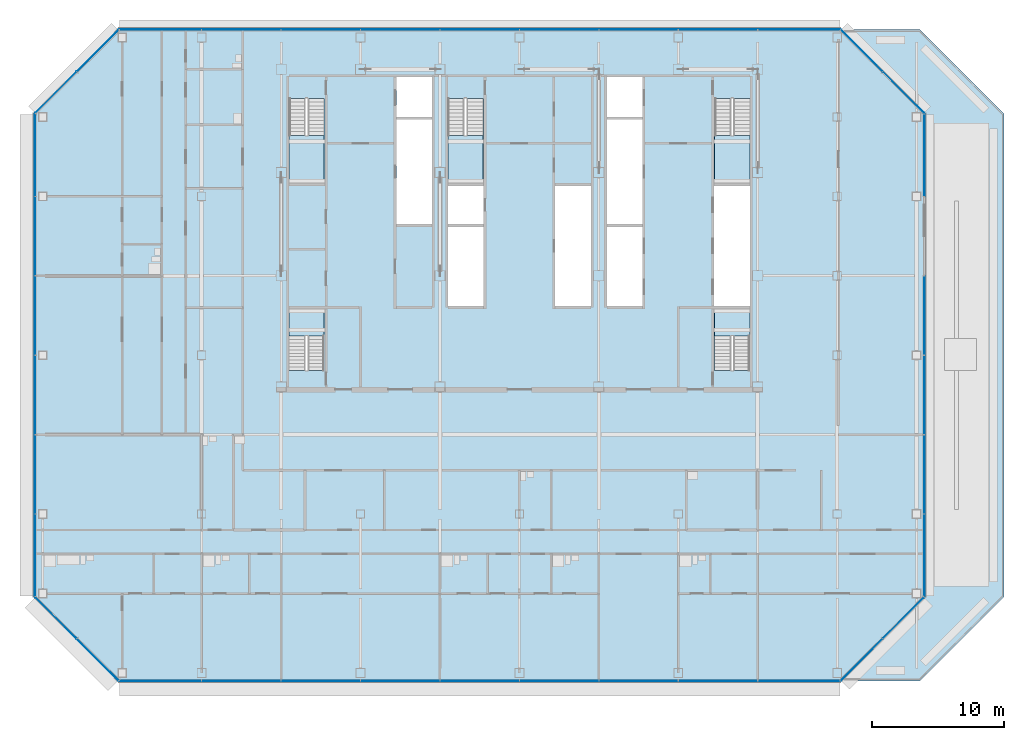
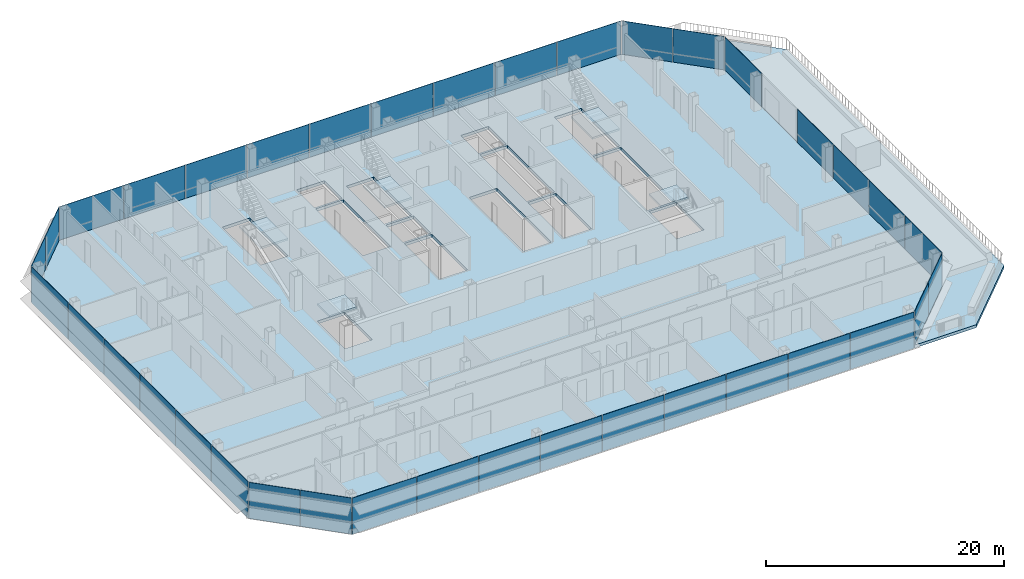
# One storey, part 16 of 27: 37 plates, 7 slabs, 13 elements without a shape of their own.
"""IFC4 building model written with IfcOpenShell, lengths in metres."""

import ifcopenshell
import ifcopenshell.guid

model = None  # the IFC model being written
_history = None  # IfcOwnerHistory: only IFC2X3 demands one
_inside = {}  # id of a spatial element -> (the spatial element, [elements in it])
_under = {}  # id of a project, library or spatial element -> (it, [spatial elements below it])
_declared = {}  # id of a project -> (the project, [libraries it declares])
_typed = {}  # id of a type object -> (the type object, [elements of that type])
_made_of = {}  # id of a material, layer set ... -> (it, [elements and type objects made of it])


def new_model(schema):
    """Start an empty IFC model of exactly this schema.

    Asked for "IFC4X3", IfcOpenShell would pick the latest addendum, in which some entities
    have other attributes; the version numbers below select the first issue.
    IFC2X3 requires an IfcOwnerHistory on every rooted entity: one is made here for all.
    """
    global model, _history
    if schema == "IFC4X3":
        model = ifcopenshell.file(schema_version=(4, 3, 0, 0))
    else:
        model = ifcopenshell.file(schema=schema)
    _inside.clear()
    _under.clear()
    _declared.clear()
    _typed.clear()
    _made_of.clear()
    _history = None
    if model.schema == "IFC2X3":
        org = make("IfcOrganization", Name="unknown")
        user = make(
            "IfcPersonAndOrganization",
            ThePerson=make("IfcPerson", FamilyName="unknown"),
            TheOrganization=org,
        )
        app = make(
            "IfcApplication",
            ApplicationDeveloper=org,
            Version="unknown",
            ApplicationFullName="unknown",
            ApplicationIdentifier="unknown",
        )
        _history = make(
            "IfcOwnerHistory",
            OwningUser=user,
            OwningApplication=app,
            ChangeAction="ADDED",
            CreationDate=0,
        )
    return model


def make(cls, **values):
    """One entity of the class cls with the attributes given. An attribute that is None is left unset."""
    return model.create_entity(
        cls, **{name: value for name, value in values.items() if value is not None}
    )


def rooted(cls, **values):
    """An entity with a GlobalId (a new one), such as an element, a storey or a relation."""
    return make(cls, GlobalId=ifcopenshell.guid.new(), OwnerHistory=_history, **values)


def si_unit(unit_type, name, prefix=None):
    """IfcSIUnit, for example si_unit("LENGTHUNIT", "METRE", prefix="MILLI")."""
    return make("IfcSIUnit", UnitType=unit_type, Prefix=prefix, Name=name)


def assignment(units):
    """IfcUnitAssignment: the units of a project."""
    return None if units is None else make("IfcUnitAssignment", Units=units)


def point(xyz):
    """IfcCartesianPoint."""
    return None if xyz is None else make("IfcCartesianPoint", Coordinates=xyz)


def direction(xyz):
    """IfcDirection."""
    return None if xyz is None else make("IfcDirection", DirectionRatios=xyz)


def frame(location, z_axis=None, x_axis=None):
    """IfcAxis2Placement3D, a coordinate frame: its origin and axes. An axis left out is left unset."""
    return make(
        "IfcAxis2Placement3D",
        Location=point(location),
        Axis=direction(z_axis),
        RefDirection=direction(x_axis),
    )


def frame_2d(location, x_axis=None):
    """IfcAxis2Placement2D, a coordinate frame in the plane: its origin and x axis."""
    return make(
        "IfcAxis2Placement2D", Location=point(location), RefDirection=direction(x_axis)
    )


def origin():
    """The frame at (0, 0, 0) with its axes left unset."""
    return frame((0.0, 0.0, 0.0))


def origin_2d():
    """The frame at (0, 0) in the plane with its x axis left unset."""
    return frame_2d((0.0, 0.0))


def place(relative_to, where):
    """IfcLocalPlacement: puts the frame where relative to a parent placement (None: the world)."""
    return make(
        "IfcLocalPlacement", PlacementRelTo=relative_to, RelativePlacement=where
    )


def context(
    kind, dimensions, precision=None, world=None, true_north=None, identifier=None
):
    """IfcGeometricRepresentationContext, for example the 3D "Model" context."""
    return make(
        "IfcGeometricRepresentationContext",
        ContextIdentifier=identifier,
        ContextType=kind,
        CoordinateSpaceDimension=dimensions,
        Precision=precision,
        WorldCoordinateSystem=world,
        TrueNorth=true_north,
    )


def subcontext(parent, identifier, kind, view, scale=None):
    """IfcGeometricRepresentationSubContext, for example "Body" below "Model"."""
    return make(
        "IfcGeometricRepresentationSubContext",
        ContextIdentifier=identifier,
        ContextType=kind,
        ParentContext=parent,
        TargetScale=scale,
        TargetView=view,
    )


def project(units=None, contexts=None):
    """IfcProject with its units and contexts."""
    return rooted(
        "IfcProject",
        Name="project",
        RepresentationContexts=contexts,
        UnitsInContext=assignment(units),
    )


def spatial(cls, under=None, at=None, **own):
    """A site, building, storey or space (cls), placed at a placement, below another one or the project."""
    s = rooted(cls, ObjectPlacement=at, **own)
    if under is not None:
        _under.setdefault(under.id(), (under, []))[1].append(s)
    return s


def polyline(points):
    """IfcPolyline through the points."""
    return make("IfcPolyline", Points=[point(p) for p in points])


def profile(cls, at=None, kind="AREA", **sizes):
    """A parametric profile (cls). Its sizes go by their IFC names, for example OverallWidth=200.0."""
    return make(cls, ProfileType=kind, Position=at, **sizes)


def rectangle(**sizes):
    """IfcRectangleProfileDef."""
    return profile("IfcRectangleProfileDef", **sizes)


def outline(outer, holes=None, kind="AREA"):
    """IfcArbitraryClosedProfileDef: a profile drawn as a closed curve; with holes, ...WithVoids."""
    if holes is None:
        return make("IfcArbitraryClosedProfileDef", ProfileType=kind, OuterCurve=outer)
    return make(
        "IfcArbitraryProfileDefWithVoids",
        ProfileType=kind,
        OuterCurve=outer,
        InnerCurves=holes,
    )


def extrude(swept, where, along, depth):
    """IfcExtrudedAreaSolid: the profile swept, set in the frame where, extruded along a direction by depth."""
    return make(
        "IfcExtrudedAreaSolid",
        SweptArea=swept,
        Position=where,
        ExtrudedDirection=direction(along),
        Depth=depth,
    )


def shape(context_of_items, identifier, shape_type, items):
    """IfcShapeRepresentation: the items that make up one representation, for example the "Body"."""
    return make(
        "IfcShapeRepresentation",
        ContextOfItems=context_of_items,
        RepresentationIdentifier=identifier,
        RepresentationType=shape_type,
        Items=items,
    )


def material(Name=None, Category=None):
    """IfcMaterial."""
    return make("IfcMaterial", Name=Name, Category=Category)


def layer(
    of_material, thickness, ventilated=None, Name=None, Category=None, Priority=None
):
    """IfcMaterialLayer: one layer of a wall or slab, of a material (None: an air gap)."""
    return make(
        "IfcMaterialLayer",
        Material=of_material,
        LayerThickness=thickness,
        IsVentilated=ventilated,
        Name=Name,
        Category=Category,
        Priority=Priority,
    )


def layer_set(layers, Name=None):
    """IfcMaterialLayerSet."""
    return make("IfcMaterialLayerSet", MaterialLayers=layers, LayerSetName=Name)


def made_of(thing, what):
    """Note that an element or type object is made of a material, layer set ...; save() writes the relation."""
    if what is not None:
        _made_of.setdefault(what.id(), (what, []))[1].append(thing)
    return thing


def type_object(cls, material=None, **own):
    """A type object (cls), such as IfcWallType, which elements share."""
    return made_of(rooted(cls, **own), material)


def element(
    cls,
    number,
    at=None,
    inside=None,
    cuts=None,
    type_object=None,
    material=None,
    context=None,
    identifier="Body",
    shape_type=None,
    held_by="IfcProductDefinitionShape",
    body=None,
    shapes=None,
    **own,
):
    """One element of the class cls, such as IfcWall. Its Tag is "e" and its number.

    at: its placement. inside: the storey or other place that contains it. cuts: it is an
    opening in that element (IfcRelVoidsElement). A single representation is given by context,
    identifier, shape_type and body (its items); several are given by shapes. held_by: the class
    of the entity that holds the representations. save() writes the other relations.
    """
    e = rooted(cls, Tag="e%d" % number, ObjectPlacement=at, **own)
    if body is not None:
        shapes = [shape(context, identifier, shape_type, body)]
    if shapes is not None:
        e.Representation = make(held_by, Representations=shapes)
    if inside is not None:
        _inside.setdefault(inside.id(), (inside, []))[1].append(e)
    if cuts is not None:
        rooted(
            "IfcRelVoidsElement", RelatingBuildingElement=cuts, RelatedOpeningElement=e
        )
    if type_object is not None:
        _typed.setdefault(type_object.id(), (type_object, []))[1].append(e)
    return made_of(e, material)


def aggregate(whole, parts):
    """IfcRelAggregates: a whole, such as a stair, and the parts it consists of."""
    return rooted("IfcRelAggregates", RelatingObject=whole, RelatedObjects=parts)


def save(model, path):
    """Write the relations noted so far, then the file.

    IfcRelAggregates (storeys below a building ...), IfcRelContainedInSpatialStructure (elements
    in a storey), IfcRelDefinesByType, IfcRelAssociatesMaterial and IfcRelDeclares: one each for
    every whole, place, type object, material and project.
    """
    for whole, parts in _under.values():
        aggregate(whole, parts)
    for where, things in _inside.values():
        rooted(
            "IfcRelContainedInSpatialStructure",
            RelatedElements=things,
            RelatingStructure=where,
        )
    for kind, things in _typed.values():
        rooted("IfcRelDefinesByType", RelatedObjects=things, RelatingType=kind)
    for what, things in _made_of.values():
        rooted("IfcRelAssociatesMaterial", RelatedObjects=things, RelatingMaterial=what)
    for by, libraries in _declared.values():
        rooted("IfcRelDeclares", RelatingContext=by, RelatedDefinitions=libraries)
    model.write(path)


model = new_model("IFC4")

# Units and contexts
model_context = context("Model", 3, precision=1e-05, world=origin(), true_north=direction((0.0, 1.0)))
body_context = subcontext(model_context, "Body", "Model", "MODEL_VIEW")
ifc_project = project(units=[si_unit("LENGTHUNIT", "METRE"), si_unit("AREAUNIT", "SQUARE_METRE"), si_unit("VOLUMEUNIT", "CUBIC_METRE"), si_unit("PLANEANGLEUNIT", "RADIAN"), si_unit("MASSUNIT", "GRAM", prefix="KILO")], contexts=[model_context])

# Site, building, storey
site_placement = place(None, origin())
site = spatial("IfcSite", under=ifc_project, at=site_placement, CompositionType="ELEMENT")
building_placement = place(site_placement, origin())
building = spatial("IfcBuilding", under=site, at=building_placement, Name="Sorahane Residences", CompositionType="ELEMENT")
storey_placement = place(building_placement, frame((0.0, 0.0, 192.0)))
storey = spatial("IfcBuildingStorey", under=building, at=storey_placement, Name="L44", CompositionType="ELEMENT", Elevation=192.0)

# Slab
ifc_material_1 = material(Name="Concrete C35", Category="concrete")
ifc_layer_1 = layer(ifc_material_1, 0.300048828125)
ifc_layer_set_1 = layer_set([ifc_layer_1], Name="Composite floor slab 300 mm Concrete C35")
slab_type_1 = type_object("IfcSlabType", Name="Composite floor slab 300 mm Concrete C35", PredefinedType="FLOOR", material=ifc_layer_set_1)
slab_1_placement = place(storey_placement, frame((0.0, 0.0, -0.300048828125)))
element("IfcSlab", 1, at=slab_1_placement, inside=storey, type_object=slab_type_1, Name="Slab L44", PredefinedType="FLOOR", context=body_context, shape_type="SweptSolid", body=[
    extrude(outline(polyline([(-6.24853515625, -0.60009765625), (-12.60009765625, 5.75146484375), (-12.60009765625, 42.24853515625), (-6.24853515625, 48.60009765625), (48.24853515625, 48.60009765625), (54.60009765625, 42.24853515625), (54.60009765625, 5.75146484375), (48.24853515625, -0.60009765625), (-6.24853515625, -0.60009765625)]), holes=[polyline([(18.60009765625, 27.699951171875), (21.300048828125, 27.699951171875), (21.300048828125, 33.699951171875), (18.60009765625, 33.699951171875), (18.60009765625, 27.699951171875)]), polyline([(38.699951171875, 27.699951171875), (41.39990234375, 27.699951171875), (41.39990234375, 36.800048828125), (38.699951171875, 36.800048828125), (38.699951171875, 27.699951171875)]), polyline([(30.60009765625, 27.699951171875), (33.300048828125, 27.699951171875), (33.300048828125, 33.699951171875), (30.60009765625, 33.699951171875), (30.60009765625, 27.699951171875)]), polyline([(30.60009765625, 42.0), (33.300048828125, 42.0), (33.300048828125, 45.0), (30.60009765625, 45.0), (30.60009765625, 42.0)]), polyline([(14.699951171875, 42.0), (17.39990234375, 42.0), (17.39990234375, 45.0), (14.699951171875, 45.0), (14.699951171875, 42.0)]), polyline([(6.60009765625, 43.39990234375), (6.60009765625, 37.0), (9.25, 37.0), (9.25, 43.39990234375), (6.60009765625, 43.39990234375)]), polyline([(38.75, 43.39990234375), (38.75, 37.0), (41.39990234375, 37.0), (41.39990234375, 43.39990234375), (38.75, 43.39990234375)]), polyline([(18.60009765625, 43.39990234375), (18.60009765625, 37.0), (21.25, 37.0), (21.25, 43.39990234375), (18.60009765625, 43.39990234375)]), polyline([(9.25, 22.85009765625), (9.25, 27.5), (6.60009765625, 27.5), (6.60009765625, 22.85009765625), (9.25, 22.85009765625)]), polyline([(41.39990234375, 22.85009765625), (41.39990234375, 27.5), (38.75, 27.5), (38.75, 22.85009765625), (41.39990234375, 22.85009765625)]), polyline([(14.699951171875, 33.89990234375), (17.39990234375, 33.89990234375), (17.39990234375, 41.800048828125), (14.699951171875, 41.800048828125), (14.699951171875, 33.89990234375)]), polyline([(30.60009765625, 33.89990234375), (33.300048828125, 33.89990234375), (33.300048828125, 41.800048828125), (30.60009765625, 41.800048828125), (30.60009765625, 33.89990234375)]), polyline([(18.60009765625, 33.89990234375), (21.300048828125, 33.89990234375), (21.300048828125, 36.800048828125), (18.60009765625, 36.800048828125), (18.60009765625, 33.89990234375)]), polyline([(26.699951171875, 27.699951171875), (29.39990234375, 27.699951171875), (29.39990234375, 36.800048828125), (26.699951171875, 36.800048828125), (26.699951171875, 27.699951171875)])]), origin(), (0.0, 0.0, 1.0), 0.300048828125),
])

# Curtain wall, plates
ifc_material_2 = material(Name="Dark low-e glass and black anodised aluminium", Category="aluminium")
curtain_wall_type_1 = type_object("IfcCurtainWallType", Name="Curtain wall CW-1 Typical unitised wall", PredefinedType="NOTDEFINED", material=ifc_material_2)
curtain_wall_1_placement = place(storey_placement, origin())
curtain_wall_1 = element("IfcCurtainWall", 2, at=curtain_wall_1_placement, inside=storey, type_object=curtain_wall_type_1, Name="CW-1 curtain wall L44 S1", PredefinedType="NOTDEFINED")
ifc_material_3 = material(Name="Dark low-e glass with black ceramic frit", Category="glass")
ifc_layer_2 = layer(ifc_material_3, 0.0400390625)
ifc_layer_set_2 = layer_set([ifc_layer_2], Name="Curtain wall glass panel dark low-e with black frit spandrel band")
plate_type = type_object("IfcPlateType", Name="Curtain wall glass panel dark low-e with black frit spandrel band", PredefinedType="CURTAIN_PANEL", material=ifc_layer_set_2)
plate_1_placement = place(storey_placement, frame((-3.11181640625, -0.60009765625, -0.2998046875), z_axis=(0.0, 0.0, 1.0), x_axis=(1.0, 0.0, 0.0)))
plate_1 = element("IfcPlate", 3, at=plate_1_placement, type_object=plate_type, Name="CW-1 glass panel L44 S1.1", PredefinedType="CURTAIN_PANEL", context=body_context, shape_type="SweptSolid", body=[
    extrude(rectangle(XDim=6.173583984375, YDim=0.0400390625, at=origin_2d()), origin(), (0.0, 0.0, 1.0), 3.719970703125),
])
plate_2_placement = place(storey_placement, frame((3.0, -0.60009765625, -0.2998046875), z_axis=(0.0, 0.0, 1.0), x_axis=(1.0, 0.0, 0.0)))
plate_2 = element("IfcPlate", 4, at=plate_2_placement, type_object=plate_type, Name="CW-1 glass panel L44 S1.2", PredefinedType="CURTAIN_PANEL", context=body_context, shape_type="SweptSolid", body=[
    extrude(rectangle(XDim=5.949951171875, YDim=0.0400390625, at=origin_2d()), origin(), (0.0, 0.0, 1.0), 3.719970703125),
])
plate_3_placement = place(storey_placement, frame((9.0, -0.60009765625, -0.2998046875), z_axis=(0.0, 0.0, 1.0), x_axis=(1.0, 0.0, 0.0)))
plate_3 = element("IfcPlate", 5, at=plate_3_placement, type_object=plate_type, Name="CW-1 glass panel L44 S1.3", PredefinedType="CURTAIN_PANEL", context=body_context, shape_type="SweptSolid", body=[
    extrude(rectangle(XDim=5.949951171875, YDim=0.0400390625, at=origin_2d()), origin(), (0.0, 0.0, 1.0), 3.719970703125),
])
plate_4_placement = place(storey_placement, frame((15.0, -0.60009765625, -0.2998046875), z_axis=(0.0, 0.0, 1.0), x_axis=(1.0, 0.0, 0.0)))
plate_4 = element("IfcPlate", 6, at=plate_4_placement, type_object=plate_type, Name="CW-1 glass panel L44 S1.4", PredefinedType="CURTAIN_PANEL", context=body_context, shape_type="SweptSolid", body=[
    extrude(rectangle(XDim=5.949951171875, YDim=0.0400390625, at=origin_2d()), origin(), (0.0, 0.0, 1.0), 3.719970703125),
])
plate_5_placement = place(storey_placement, frame((21.0, -0.60009765625, -0.2998046875), z_axis=(0.0, 0.0, 1.0), x_axis=(1.0, 0.0, 0.0)))
plate_5 = element("IfcPlate", 7, at=plate_5_placement, type_object=plate_type, Name="CW-1 glass panel L44 S1.5", PredefinedType="CURTAIN_PANEL", context=body_context, shape_type="SweptSolid", body=[
    extrude(rectangle(XDim=5.949951171875, YDim=0.0400390625, at=origin_2d()), origin(), (0.0, 0.0, 1.0), 3.719970703125),
])
plate_6_placement = place(storey_placement, frame((27.0, -0.60009765625, -0.2998046875), z_axis=(0.0, 0.0, 1.0), x_axis=(1.0, 0.0, 0.0)))
plate_6 = element("IfcPlate", 8, at=plate_6_placement, type_object=plate_type, Name="CW-1 glass panel L44 S1.6", PredefinedType="CURTAIN_PANEL", context=body_context, shape_type="SweptSolid", body=[
    extrude(rectangle(XDim=5.949951171875, YDim=0.0400390625, at=origin_2d()), origin(), (0.0, 0.0, 1.0), 3.719970703125),
])
plate_7_placement = place(storey_placement, frame((33.0, -0.60009765625, -0.2998046875), z_axis=(0.0, 0.0, 1.0), x_axis=(1.0, 0.0, 0.0)))
plate_7 = element("IfcPlate", 9, at=plate_7_placement, type_object=plate_type, Name="CW-1 glass panel L44 S1.7", PredefinedType="CURTAIN_PANEL", context=body_context, shape_type="SweptSolid", body=[
    extrude(rectangle(XDim=5.949951171875, YDim=0.0400390625, at=origin_2d()), origin(), (0.0, 0.0, 1.0), 3.719970703125),
])
plate_8_placement = place(storey_placement, frame((39.0, -0.60009765625, -0.2998046875), z_axis=(0.0, 0.0, 1.0), x_axis=(1.0, 0.0, 0.0)))
plate_8 = element("IfcPlate", 10, at=plate_8_placement, type_object=plate_type, Name="CW-1 glass panel L44 S1.8", PredefinedType="CURTAIN_PANEL", context=body_context, shape_type="SweptSolid", body=[
    extrude(rectangle(XDim=5.949951171875, YDim=0.0400390625, at=origin_2d()), origin(), (0.0, 0.0, 1.0), 3.719970703125),
])
plate_9_placement = place(storey_placement, frame((45.11181640625, -0.60009765625, -0.2998046875), z_axis=(0.0, 0.0, 1.0), x_axis=(1.0, 0.0, 0.0)))
plate_9 = element("IfcPlate", 11, at=plate_9_placement, type_object=plate_type, Name="CW-1 glass panel L44 S1.9", PredefinedType="CURTAIN_PANEL", context=body_context, shape_type="SweptSolid", body=[
    extrude(rectangle(XDim=6.173583984375, YDim=0.0400390625, at=origin_2d()), origin(), (0.0, 0.0, 1.0), 3.719970703125),
])
aggregate(curtain_wall_1, [plate_1, plate_2, plate_3, plate_4, plate_5, plate_6, plate_7, plate_8, plate_9])

ifc_material_4 = material(Name="Dark low-e glass and black anodised aluminium", Category="aluminium")
curtain_wall_type_2 = type_object("IfcCurtainWallType", Name="Curtain wall CW-2 Chamfer unitised wall", PredefinedType="NOTDEFINED", material=ifc_material_4)
curtain_wall_2_placement = place(storey_placement, origin())
curtain_wall_2 = element("IfcCurtainWall", 12, at=curtain_wall_2_placement, inside=storey, type_object=curtain_wall_type_2, Name="CW-2 curtain wall L44 SE1", PredefinedType="NOTDEFINED")
plate_10_placement = place(storey_placement, frame((49.84521484375, 0.996826171875, -0.2998046875), z_axis=(0.0, 0.0, 1.0), x_axis=(0.707106781187, 0.707106781187, 0.0)))
plate_10 = element("IfcPlate", 13, at=plate_10_placement, type_object=plate_type, Name="CW-2 glass panel L44 SE1.1", PredefinedType="CURTAIN_PANEL", context=body_context, shape_type="SweptSolid", body=[
    extrude(rectangle(XDim=4.416259765625, YDim=0.0400390625, at=origin_2d()), origin(), (0.0, 0.0, 1.0), 3.719970703125),
])
plate_11_placement = place(storey_placement, frame((53.003173828125, 4.15478515625, -0.2998046875), z_axis=(0.0, 0.0, 1.0), x_axis=(0.707106781187, 0.707106781187, 0.0)))
plate_11 = element("IfcPlate", 14, at=plate_11_placement, type_object=plate_type, Name="CW-2 glass panel L44 SE1.2", PredefinedType="CURTAIN_PANEL", context=body_context, shape_type="SweptSolid", body=[
    extrude(rectangle(XDim=4.416259765625, YDim=0.0400390625, at=origin_2d()), origin(), (0.0, 0.0, 1.0), 3.719970703125),
])
aggregate(curtain_wall_2, [plate_10, plate_11])

curtain_wall_3_placement = place(storey_placement, origin())
curtain_wall_3 = element("IfcCurtainWall", 15, at=curtain_wall_3_placement, inside=storey, type_object=curtain_wall_type_1, Name="CW-1 curtain wall L44 E1", PredefinedType="NOTDEFINED")
plate_12_placement = place(storey_placement, frame((54.60009765625, 8.88818359375, -0.2998046875), z_axis=(0.0, 0.0, 1.0), x_axis=(0.0, 1.0, 0.0)))
plate_12 = element("IfcPlate", 16, at=plate_12_placement, type_object=plate_type, Name="CW-1 glass panel L44 E1.1", PredefinedType="CURTAIN_PANEL", context=body_context, shape_type="SweptSolid", body=[
    extrude(rectangle(XDim=6.173583984375, YDim=0.0400390625, at=origin_2d()), origin(), (0.0, 0.0, 1.0), 3.719970703125),
])
plate_13_placement = place(storey_placement, frame((54.60009765625, 15.0, -0.2998046875), z_axis=(0.0, 0.0, 1.0), x_axis=(0.0, 1.0, 0.0)))
plate_13 = element("IfcPlate", 17, at=plate_13_placement, type_object=plate_type, Name="CW-1 glass panel L44 E1.2", PredefinedType="CURTAIN_PANEL", context=body_context, shape_type="SweptSolid", body=[
    extrude(rectangle(XDim=5.949951171875, YDim=0.0400390625, at=origin_2d()), origin(), (0.0, 0.0, 1.0), 3.719970703125),
])
plate_14_placement = place(storey_placement, frame((54.60009765625, 21.0, -0.2998046875), z_axis=(0.0, 0.0, 1.0), x_axis=(0.0, 1.0, 0.0)))
plate_14 = element("IfcPlate", 18, at=plate_14_placement, type_object=plate_type, Name="CW-1 glass panel L44 E1.3", PredefinedType="CURTAIN_PANEL", context=body_context, shape_type="SweptSolid", body=[
    extrude(rectangle(XDim=5.949951171875, YDim=0.0400390625, at=origin_2d()), origin(), (0.0, 0.0, 1.0), 3.719970703125),
])
plate_15_placement = place(storey_placement, frame((54.60009765625, 27.0, -0.2998046875), z_axis=(0.0, 0.0, 1.0), x_axis=(0.0, 1.0, 0.0)))
plate_15 = element("IfcPlate", 19, at=plate_15_placement, type_object=plate_type, Name="CW-1 glass panel L44 E1.4", PredefinedType="CURTAIN_PANEL", context=body_context, shape_type="SweptSolid", body=[
    extrude(rectangle(XDim=5.949951171875, YDim=0.0400390625, at=origin_2d()), origin(), (0.0, 0.0, 1.0), 3.719970703125),
])
plate_16_placement = place(storey_placement, frame((54.60009765625, 39.11181640625, -0.2998046875), z_axis=(0.0, 0.0, 1.0), x_axis=(0.0, 1.0, 0.0)))
plate_16 = element("IfcPlate", 20, at=plate_16_placement, type_object=plate_type, Name="CW-1 glass panel L44 E1.6", PredefinedType="CURTAIN_PANEL", context=body_context, shape_type="SweptSolid", body=[
    extrude(rectangle(XDim=6.173583984375, YDim=0.0400390625, at=origin_2d()), origin(), (0.0, 0.0, 1.0), 3.719970703125),
])
aggregate(curtain_wall_3, [plate_12, plate_13, plate_14, plate_15, plate_16])

curtain_wall_4_placement = place(storey_placement, origin())
curtain_wall_4 = element("IfcCurtainWall", 21, at=curtain_wall_4_placement, inside=storey, type_object=curtain_wall_type_2, Name="CW-2 curtain wall L44 NE1", PredefinedType="NOTDEFINED")
plate_17_placement = place(storey_placement, frame((53.003173828125, 43.84521484375, -0.2998046875), z_axis=(0.0, 0.0, 1.0), x_axis=(-0.707106781187, 0.707106781187, 0.0)))
plate_17 = element("IfcPlate", 22, at=plate_17_placement, type_object=plate_type, Name="CW-2 glass panel L44 NE1.1", PredefinedType="CURTAIN_PANEL", context=body_context, shape_type="SweptSolid", body=[
    extrude(rectangle(XDim=4.416259765625, YDim=0.0400390625, at=origin_2d()), origin(), (0.0, 0.0, 1.0), 3.719970703125),
])
plate_18_placement = place(storey_placement, frame((49.84521484375, 47.003173828125, -0.2998046875), z_axis=(0.0, 0.0, 1.0), x_axis=(-0.707106781187, 0.707106781187, 0.0)))
plate_18 = element("IfcPlate", 23, at=plate_18_placement, type_object=plate_type, Name="CW-2 glass panel L44 NE1.2", PredefinedType="CURTAIN_PANEL", context=body_context, shape_type="SweptSolid", body=[
    extrude(rectangle(XDim=4.416259765625, YDim=0.0400390625, at=origin_2d()), origin(), (0.0, 0.0, 1.0), 3.719970703125),
])
aggregate(curtain_wall_4, [plate_17, plate_18])

curtain_wall_5_placement = place(storey_placement, origin())
curtain_wall_5 = element("IfcCurtainWall", 24, at=curtain_wall_5_placement, inside=storey, type_object=curtain_wall_type_1, Name="CW-1 curtain wall L44 N1", PredefinedType="NOTDEFINED")
plate_19_placement = place(storey_placement, frame((45.11181640625, 48.60009765625, -0.2998046875), z_axis=(0.0, 0.0, 1.0), x_axis=(-1.0, 0.0, 0.0)))
plate_19 = element("IfcPlate", 25, at=plate_19_placement, type_object=plate_type, Name="CW-1 glass panel L44 N1.1", PredefinedType="CURTAIN_PANEL", context=body_context, shape_type="SweptSolid", body=[
    extrude(rectangle(XDim=6.173583984375, YDim=0.0400390625, at=origin_2d()), origin(), (0.0, 0.0, 1.0), 3.719970703125),
])
plate_20_placement = place(storey_placement, frame((39.0, 48.60009765625, -0.2998046875), z_axis=(0.0, 0.0, 1.0), x_axis=(-1.0, 0.0, 0.0)))
plate_20 = element("IfcPlate", 26, at=plate_20_placement, type_object=plate_type, Name="CW-1 glass panel L44 N1.2", PredefinedType="CURTAIN_PANEL", context=body_context, shape_type="SweptSolid", body=[
    extrude(rectangle(XDim=5.949951171875, YDim=0.0400390625, at=origin_2d()), origin(), (0.0, 0.0, 1.0), 3.719970703125),
])
plate_21_placement = place(storey_placement, frame((33.0, 48.60009765625, -0.2998046875), z_axis=(0.0, 0.0, 1.0), x_axis=(-1.0, 0.0, 0.0)))
plate_21 = element("IfcPlate", 27, at=plate_21_placement, type_object=plate_type, Name="CW-1 glass panel L44 N1.3", PredefinedType="CURTAIN_PANEL", context=body_context, shape_type="SweptSolid", body=[
    extrude(rectangle(XDim=5.949951171875, YDim=0.0400390625, at=origin_2d()), origin(), (0.0, 0.0, 1.0), 3.719970703125),
])
plate_22_placement = place(storey_placement, frame((27.0, 48.60009765625, -0.2998046875), z_axis=(0.0, 0.0, 1.0), x_axis=(-1.0, 0.0, 0.0)))
plate_22 = element("IfcPlate", 28, at=plate_22_placement, type_object=plate_type, Name="CW-1 glass panel L44 N1.4", PredefinedType="CURTAIN_PANEL", context=body_context, shape_type="SweptSolid", body=[
    extrude(rectangle(XDim=5.949951171875, YDim=0.0400390625, at=origin_2d()), origin(), (0.0, 0.0, 1.0), 3.719970703125),
])
plate_23_placement = place(storey_placement, frame((21.0, 48.60009765625, -0.2998046875), z_axis=(0.0, 0.0, 1.0), x_axis=(-1.0, 0.0, 0.0)))
plate_23 = element("IfcPlate", 29, at=plate_23_placement, type_object=plate_type, Name="CW-1 glass panel L44 N1.5", PredefinedType="CURTAIN_PANEL", context=body_context, shape_type="SweptSolid", body=[
    extrude(rectangle(XDim=5.949951171875, YDim=0.0400390625, at=origin_2d()), origin(), (0.0, 0.0, 1.0), 3.719970703125),
])
plate_24_placement = place(storey_placement, frame((15.0, 48.60009765625, -0.2998046875), z_axis=(0.0, 0.0, 1.0), x_axis=(-1.0, 0.0, 0.0)))
plate_24 = element("IfcPlate", 30, at=plate_24_placement, type_object=plate_type, Name="CW-1 glass panel L44 N1.6", PredefinedType="CURTAIN_PANEL", context=body_context, shape_type="SweptSolid", body=[
    extrude(rectangle(XDim=5.949951171875, YDim=0.0400390625, at=origin_2d()), origin(), (0.0, 0.0, 1.0), 3.719970703125),
])
plate_25_placement = place(storey_placement, frame((9.0, 48.60009765625, -0.2998046875), z_axis=(0.0, 0.0, 1.0), x_axis=(-1.0, 0.0, 0.0)))
plate_25 = element("IfcPlate", 31, at=plate_25_placement, type_object=plate_type, Name="CW-1 glass panel L44 N1.7", PredefinedType="CURTAIN_PANEL", context=body_context, shape_type="SweptSolid", body=[
    extrude(rectangle(XDim=5.949951171875, YDim=0.0400390625, at=origin_2d()), origin(), (0.0, 0.0, 1.0), 3.719970703125),
])
plate_26_placement = place(storey_placement, frame((3.0, 48.60009765625, -0.2998046875), z_axis=(0.0, 0.0, 1.0), x_axis=(-1.0, 0.0, 0.0)))
plate_26 = element("IfcPlate", 32, at=plate_26_placement, type_object=plate_type, Name="CW-1 glass panel L44 N1.8", PredefinedType="CURTAIN_PANEL", context=body_context, shape_type="SweptSolid", body=[
    extrude(rectangle(XDim=5.949951171875, YDim=0.0400390625, at=origin_2d()), origin(), (0.0, 0.0, 1.0), 3.719970703125),
])
plate_27_placement = place(storey_placement, frame((-3.11181640625, 48.60009765625, -0.2998046875), z_axis=(0.0, 0.0, 1.0), x_axis=(-1.0, 0.0, 0.0)))
plate_27 = element("IfcPlate", 33, at=plate_27_placement, type_object=plate_type, Name="CW-1 glass panel L44 N1.9", PredefinedType="CURTAIN_PANEL", context=body_context, shape_type="SweptSolid", body=[
    extrude(rectangle(XDim=6.173583984375, YDim=0.0400390625, at=origin_2d()), origin(), (0.0, 0.0, 1.0), 3.719970703125),
])
aggregate(curtain_wall_5, [plate_19, plate_20, plate_21, plate_22, plate_23, plate_24, plate_25, plate_26, plate_27])

curtain_wall_6_placement = place(storey_placement, origin())
curtain_wall_6 = element("IfcCurtainWall", 34, at=curtain_wall_6_placement, inside=storey, type_object=curtain_wall_type_2, Name="CW-2 curtain wall L44 NW1", PredefinedType="NOTDEFINED")
plate_28_placement = place(storey_placement, frame((-7.84521484375, 47.003173828125, -0.2998046875), z_axis=(0.0, 0.0, 1.0), x_axis=(-0.707106781187, -0.707106781187, 0.0)))
plate_28 = element("IfcPlate", 35, at=plate_28_placement, type_object=plate_type, Name="CW-2 glass panel L44 NW1.1", PredefinedType="CURTAIN_PANEL", context=body_context, shape_type="SweptSolid", body=[
    extrude(rectangle(XDim=4.416259765625, YDim=0.0400390625, at=origin_2d()), origin(), (0.0, 0.0, 1.0), 3.719970703125),
])
plate_29_placement = place(storey_placement, frame((-11.003173828125, 43.84521484375, -0.2998046875), z_axis=(0.0, 0.0, 1.0), x_axis=(-0.707106781187, -0.707106781187, 0.0)))
plate_29 = element("IfcPlate", 36, at=plate_29_placement, type_object=plate_type, Name="CW-2 glass panel L44 NW1.2", PredefinedType="CURTAIN_PANEL", context=body_context, shape_type="SweptSolid", body=[
    extrude(rectangle(XDim=4.416259765625, YDim=0.0400390625, at=origin_2d()), origin(), (0.0, 0.0, 1.0), 3.719970703125),
])
aggregate(curtain_wall_6, [plate_28, plate_29])

curtain_wall_7_placement = place(storey_placement, origin())
curtain_wall_7 = element("IfcCurtainWall", 37, at=curtain_wall_7_placement, inside=storey, type_object=curtain_wall_type_1, Name="CW-1 curtain wall L44 W1", PredefinedType="NOTDEFINED")
plate_30_placement = place(storey_placement, frame((-12.60009765625, 39.11181640625, -0.2998046875), z_axis=(0.0, 0.0, 1.0), x_axis=(0.0, -1.0, 0.0)))
plate_30 = element("IfcPlate", 38, at=plate_30_placement, type_object=plate_type, Name="CW-1 glass panel L44 W1.1", PredefinedType="CURTAIN_PANEL", context=body_context, shape_type="SweptSolid", body=[
    extrude(rectangle(XDim=6.173583984375, YDim=0.0400390625, at=origin_2d()), origin(), (0.0, 0.0, 1.0), 3.719970703125),
])
plate_31_placement = place(storey_placement, frame((-12.60009765625, 33.0, -0.2998046875), z_axis=(0.0, 0.0, 1.0), x_axis=(0.0, -1.0, 0.0)))
plate_31 = element("IfcPlate", 39, at=plate_31_placement, type_object=plate_type, Name="CW-1 glass panel L44 W1.2", PredefinedType="CURTAIN_PANEL", context=body_context, shape_type="SweptSolid", body=[
    extrude(rectangle(XDim=5.949951171875, YDim=0.0400390625, at=origin_2d()), origin(), (0.0, 0.0, 1.0), 3.719970703125),
])
plate_32_placement = place(storey_placement, frame((-12.60009765625, 27.0, -0.2998046875), z_axis=(0.0, 0.0, 1.0), x_axis=(0.0, -1.0, 0.0)))
plate_32 = element("IfcPlate", 40, at=plate_32_placement, type_object=plate_type, Name="CW-1 glass panel L44 W1.3", PredefinedType="CURTAIN_PANEL", context=body_context, shape_type="SweptSolid", body=[
    extrude(rectangle(XDim=5.949951171875, YDim=0.0400390625, at=origin_2d()), origin(), (0.0, 0.0, 1.0), 3.719970703125),
])
plate_33_placement = place(storey_placement, frame((-12.60009765625, 21.0, -0.2998046875), z_axis=(0.0, 0.0, 1.0), x_axis=(0.0, -1.0, 0.0)))
plate_33 = element("IfcPlate", 41, at=plate_33_placement, type_object=plate_type, Name="CW-1 glass panel L44 W1.4", PredefinedType="CURTAIN_PANEL", context=body_context, shape_type="SweptSolid", body=[
    extrude(rectangle(XDim=5.949951171875, YDim=0.0400390625, at=origin_2d()), origin(), (0.0, 0.0, 1.0), 3.719970703125),
])
plate_34_placement = place(storey_placement, frame((-12.60009765625, 15.0, -0.2998046875), z_axis=(0.0, 0.0, 1.0), x_axis=(0.0, -1.0, 0.0)))
plate_34 = element("IfcPlate", 42, at=plate_34_placement, type_object=plate_type, Name="CW-1 glass panel L44 W1.5", PredefinedType="CURTAIN_PANEL", context=body_context, shape_type="SweptSolid", body=[
    extrude(rectangle(XDim=5.949951171875, YDim=0.0400390625, at=origin_2d()), origin(), (0.0, 0.0, 1.0), 3.719970703125),
])
plate_35_placement = place(storey_placement, frame((-12.60009765625, 8.88818359375, -0.2998046875), z_axis=(0.0, 0.0, 1.0), x_axis=(0.0, -1.0, 0.0)))
plate_35 = element("IfcPlate", 43, at=plate_35_placement, type_object=plate_type, Name="CW-1 glass panel L44 W1.6", PredefinedType="CURTAIN_PANEL", context=body_context, shape_type="SweptSolid", body=[
    extrude(rectangle(XDim=6.173583984375, YDim=0.0400390625, at=origin_2d()), origin(), (0.0, 0.0, 1.0), 3.719970703125),
])
aggregate(curtain_wall_7, [plate_30, plate_31, plate_32, plate_33, plate_34, plate_35])

curtain_wall_8_placement = place(storey_placement, origin())
curtain_wall_8 = element("IfcCurtainWall", 44, at=curtain_wall_8_placement, inside=storey, type_object=curtain_wall_type_2, Name="CW-2 curtain wall L44 SW1", PredefinedType="NOTDEFINED")
plate_36_placement = place(storey_placement, frame((-11.003173828125, 4.15478515625, -0.2998046875), z_axis=(0.0, 0.0, 1.0), x_axis=(0.707106781187, -0.707106781187, 0.0)))
plate_36 = element("IfcPlate", 45, at=plate_36_placement, type_object=plate_type, Name="CW-2 glass panel L44 SW1.1", PredefinedType="CURTAIN_PANEL", context=body_context, shape_type="SweptSolid", body=[
    extrude(rectangle(XDim=4.416259765625, YDim=0.0400390625, at=origin_2d()), origin(), (0.0, 0.0, 1.0), 3.719970703125),
])
plate_37_placement = place(storey_placement, frame((-7.84521484375, 0.996826171875, -0.2998046875), z_axis=(0.0, 0.0, 1.0), x_axis=(0.707106781187, -0.707106781187, 0.0)))
plate_37 = element("IfcPlate", 46, at=plate_37_placement, type_object=plate_type, Name="CW-2 glass panel L44 SW1.2", PredefinedType="CURTAIN_PANEL", context=body_context, shape_type="SweptSolid", body=[
    extrude(rectangle(XDim=4.416259765625, YDim=0.0400390625, at=origin_2d()), origin(), (0.0, 0.0, 1.0), 3.719970703125),
])
aggregate(curtain_wall_8, [plate_36, plate_37])

# Slab
ifc_material_5 = material(Name="Concrete C35", Category="concrete")
ifc_layer_3 = layer(ifc_material_5, 0.300048828125)
ifc_layer_set_3 = layer_set([ifc_layer_3], Name="Roof terrace slab Concrete C35 paved 300")
slab_type_2 = type_object("IfcSlabType", Name="Roof terrace slab Concrete C35 paved 300", PredefinedType="ROOF", material=ifc_layer_set_3)
slab_2_placement = place(storey_placement, frame((0.0, 0.0, -0.300048828125)))
element("IfcSlab", 47, at=slab_2_placement, inside=storey, type_object=slab_type_2, Name="Terrace slab L43.1", PredefinedType="ROOF", context=body_context, shape_type="SweptSolid", body=[
    extrude(outline(polyline([(54.24853515625, 48.60009765625), (60.60009765625, 42.24853515625), (60.60009765625, 5.75146484375), (54.24853515625, -0.60009765625), (48.24853515625, -0.60009765625), (54.60009765625, 5.75146484375), (54.60009765625, 42.24853515625), (48.24853515625, 48.60009765625), (54.24853515625, 48.60009765625)])), origin(), (0.0, 0.0, 1.0), 0.300048828125),
])

# Stair, slab
ifc_material_6 = material(Name="Concrete C40", Category="concrete")
stair_type = type_object("IfcStairType", Name="Dog-leg stair 1250 Concrete C40", PredefinedType="HALF_TURN_STAIR", material=ifc_material_6)
stair_1_placement = place(storey_placement, origin())
stair_1 = element("IfcStair", 48, at=stair_1_placement, inside=storey, type_object=stair_type, Name="L44 Stair S1", PredefinedType="HALF_TURN_STAIR")
ifc_material_7 = material(Name="Concrete C40", Category="concrete")
ifc_layer_4 = layer(ifc_material_7, 0.199951171875)
ifc_layer_set_4 = layer_set([ifc_layer_4], Name="Stair landing 200 Concrete C40")
slab_type_3 = type_object("IfcSlabType", Name="Stair landing 200 Concrete C40", PredefinedType="LANDING", material=ifc_layer_set_4)
slab_3_placement = place(storey_placement, frame((0.0, 0.0, 1.60009765625)))
slab_3 = element("IfcSlab", 49, at=slab_3_placement, type_object=slab_type_3, Name="S1 landing 1", PredefinedType="LANDING", context=body_context, shape_type="SweptSolid", body=[
    extrude(outline(polyline([(6.60009765625, 40.60009765625), (6.60009765625, 37.0), (9.25, 37.0), (9.25, 40.60009765625), (6.60009765625, 40.60009765625)])), origin(), (0.0, 0.0, 1.0), 0.199951171875),
])
aggregate(stair_1, [slab_3])

stair_2_placement = place(storey_placement, origin())
stair_2 = element("IfcStair", 50, at=stair_2_placement, inside=storey, type_object=stair_type, Name="L44 Stair S2", PredefinedType="HALF_TURN_STAIR")
slab_4_placement = place(storey_placement, frame((0.0, 0.0, 1.60009765625)))
slab_4 = element("IfcSlab", 51, at=slab_4_placement, type_object=slab_type_3, Name="S2 landing 1", PredefinedType="LANDING", context=body_context, shape_type="SweptSolid", body=[
    extrude(outline(polyline([(38.75, 40.60009765625), (38.75, 37.0), (41.39990234375, 37.0), (41.39990234375, 40.60009765625), (38.75, 40.60009765625)])), origin(), (0.0, 0.0, 1.0), 0.199951171875),
])
aggregate(stair_2, [slab_4])

stair_3_placement = place(storey_placement, origin())
stair_3 = element("IfcStair", 52, at=stair_3_placement, inside=storey, type_object=stair_type, Name="L44 Stair S3", PredefinedType="HALF_TURN_STAIR")
slab_5_placement = place(storey_placement, frame((0.0, 0.0, 1.60009765625)))
slab_5 = element("IfcSlab", 53, at=slab_5_placement, type_object=slab_type_3, Name="S3 landing 1", PredefinedType="LANDING", context=body_context, shape_type="SweptSolid", body=[
    extrude(outline(polyline([(18.60009765625, 40.60009765625), (18.60009765625, 37.0), (21.25, 37.0), (21.25, 40.60009765625), (18.60009765625, 40.60009765625)])), origin(), (0.0, 0.0, 1.0), 0.199951171875),
])
aggregate(stair_3, [slab_5])

stair_4_placement = place(storey_placement, origin())
stair_4 = element("IfcStair", 54, at=stair_4_placement, inside=storey, type_object=stair_type, Name="L44 Stair S4", PredefinedType="HALF_TURN_STAIR")
slab_6_placement = place(storey_placement, frame((0.0, 0.0, 1.60009765625)))
slab_6 = element("IfcSlab", 55, at=slab_6_placement, type_object=slab_type_3, Name="S4 landing 1", PredefinedType="LANDING", context=body_context, shape_type="SweptSolid", body=[
    extrude(outline(polyline([(9.25, 25.449951171875), (9.25, 27.5), (6.60009765625, 27.5), (6.60009765625, 25.449951171875), (9.25, 25.449951171875)])), origin(), (0.0, 0.0, 1.0), 0.199951171875),
])
aggregate(stair_4, [slab_6])

stair_5_placement = place(storey_placement, origin())
stair_5 = element("IfcStair", 56, at=stair_5_placement, inside=storey, type_object=stair_type, Name="L44 Stair S5", PredefinedType="HALF_TURN_STAIR")
slab_7_placement = place(storey_placement, frame((0.0, 0.0, 1.60009765625)))
slab_7 = element("IfcSlab", 57, at=slab_7_placement, type_object=slab_type_3, Name="S5 landing 1", PredefinedType="LANDING", context=body_context, shape_type="SweptSolid", body=[
    extrude(outline(polyline([(41.39990234375, 25.449951171875), (41.39990234375, 27.5), (38.75, 27.5), (38.75, 25.449951171875), (41.39990234375, 25.449951171875)])), origin(), (0.0, 0.0, 1.0), 0.199951171875),
])
aggregate(stair_5, [slab_7])

save(model, "model.ifc")
